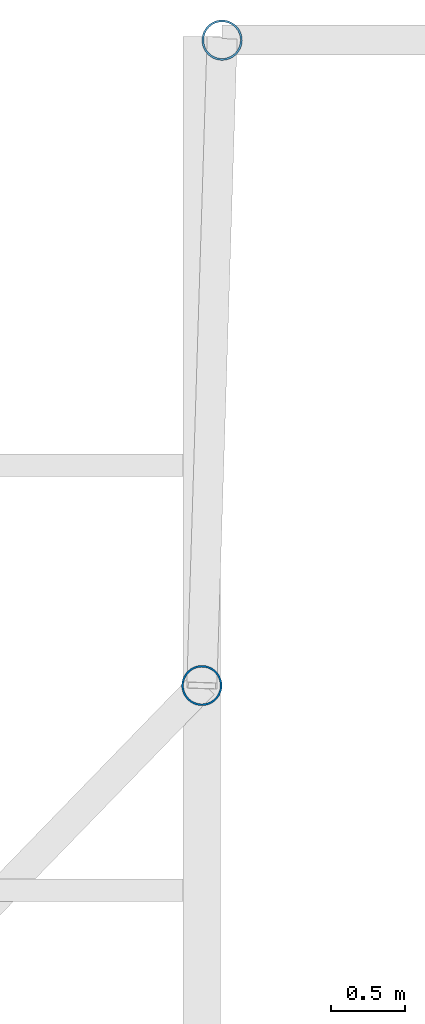
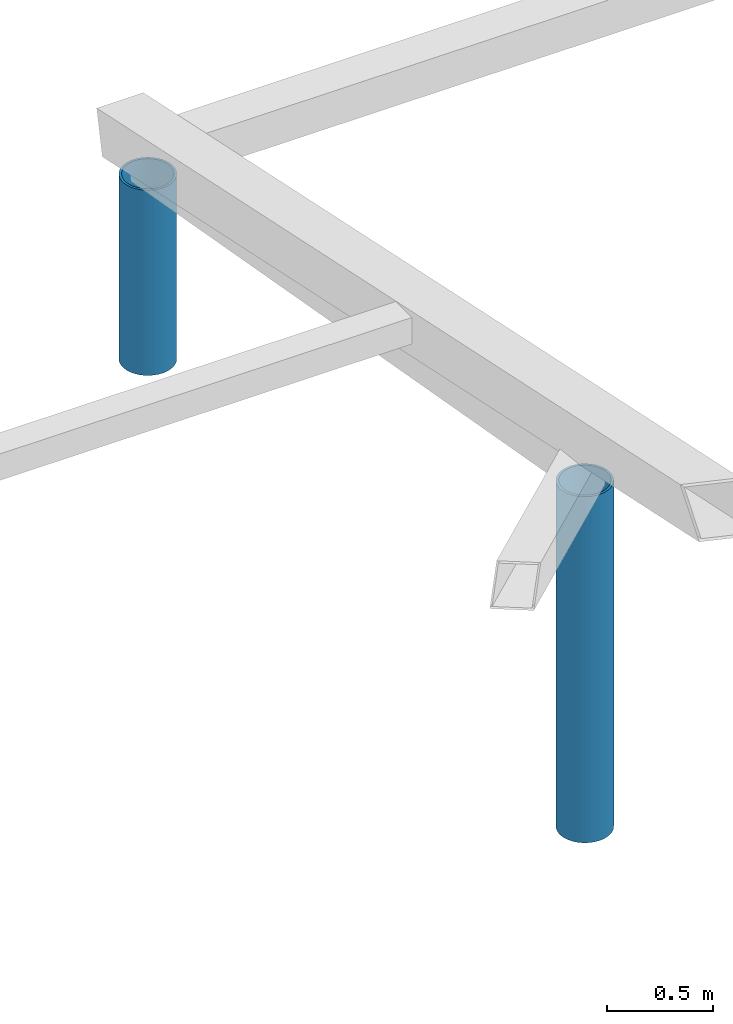
# One storey, part 4 of 7: 2 columns.
"""IFC4 building model written with IfcOpenShell, lengths in metres."""

from ifc_helpers import new_model, si_unit, direction, frame, origin, origin_2d, place, context, subcontext, project, spatial, hollow_circle, extrude, material, material_profile, profile_set, type_object, element, save


model = new_model("IFC4")

# Units and contexts
model_context = context("Model", 3, precision=1e-05, world=origin(), true_north=direction((0.0, 1.0)))
body_context = subcontext(model_context, "Body", "Model", "MODEL_VIEW")
ifc_project = project(units=[si_unit("LENGTHUNIT", "METRE"), si_unit("AREAUNIT", "SQUARE_METRE"), si_unit("VOLUMEUNIT", "CUBIC_METRE"), si_unit("PLANEANGLEUNIT", "RADIAN"), si_unit("MASSUNIT", "GRAM", prefix="KILO")], contexts=[model_context])

# Site, building, storey
site_placement = place(None, origin())
site = spatial("IfcSite", under=ifc_project, at=site_placement, CompositionType="ELEMENT")
building_placement = place(site_placement, origin())
building = spatial("IfcBuilding", under=site, at=building_placement, Name="Orbiselva Terraces", CompositionType="ELEMENT")
storey_placement = place(building_placement, frame((0.0, 0.0, 306.6)))
storey = spatial("IfcBuildingStorey", under=building, at=storey_placement, Name="ROOF STAIR AND LIFT HEAD HOUSES", CompositionType="ELEMENT", Elevation=306.6)

# Columns
ifc_material = material(Name="Steel ASTM A500 Grade C", Category="steel")
ifc_material_profile = material_profile(ifc_material, hollow_circle(Radius=0.13655, WallThickness=0.0127, at=origin_2d()), Name="HSS273.1X12.7")
ifc_profile_set = profile_set([ifc_material_profile], Name="Steel ASTM A500 Grade C")
column_type = type_object("IfcColumnType", Name="CANOPY COLUMN HSS273.1X12.7", PredefinedType="COLUMN", material=ifc_profile_set)
column_1_placement = place(storey_placement, frame((-17.86345, 22.36345, 0.0), z_axis=(0.0, 0.0, 1.0), x_axis=(1.0, 0.0, 0.0)))
element("IfcColumn", 1, at=column_1_placement, inside=storey, type_object=column_type, Name="Canopy column L75-02 above +306.600", PredefinedType="COLUMN", context=body_context, shape_type="SweptSolid", body=[
    extrude(hollow_circle(Radius=0.13655, WallThickness=0.0127, at=origin_2d()), origin(), (0.0, 0.0, 1.0), 1.067554),
])
column_2_placement = place(storey_placement, frame((-18.0, 18.0, 0.0), z_axis=(0.0, 0.0, 1.0), x_axis=(1.0, 0.0, 0.0)))
element("IfcColumn", 2, at=column_2_placement, inside=storey, type_object=column_type, Name="Canopy column L75-07 above +306.600", PredefinedType="COLUMN", context=body_context, shape_type="SweptSolid", body=[
    extrude(hollow_circle(Radius=0.13655, WallThickness=0.0127, at=origin_2d()), origin(), (0.0, 0.0, 1.0), 1.995034),
])

save(model, "model.ifc")
